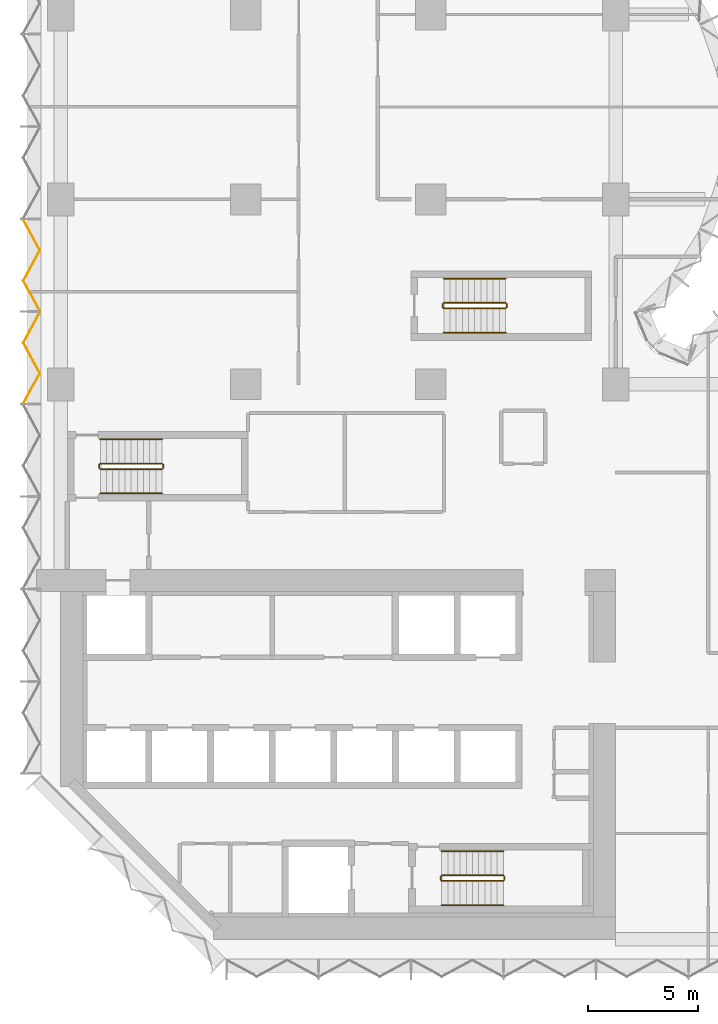
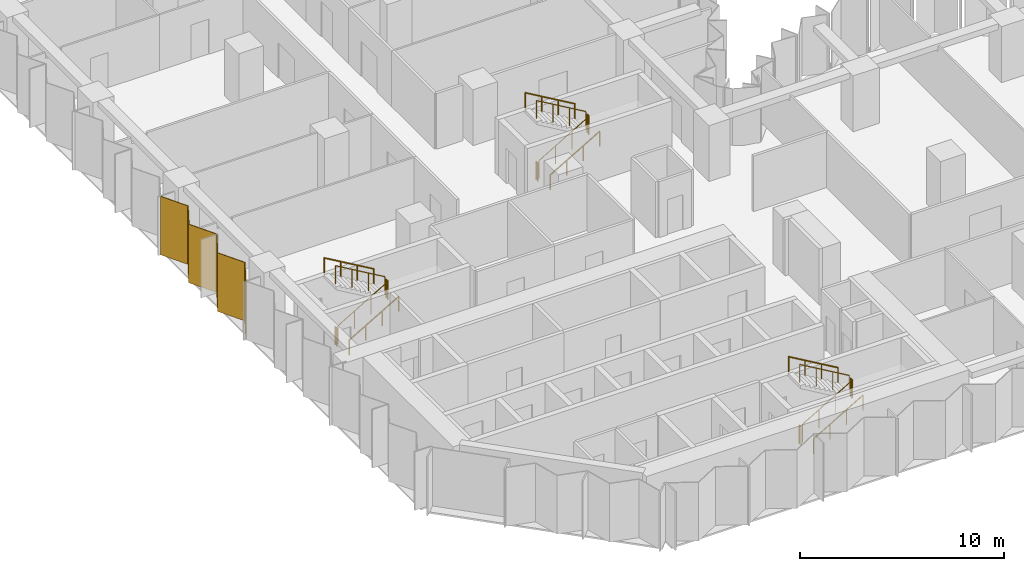
# One storey, part 13 of 15: 18 railings, 2 coverings, 1 element without a shape of its own.
"""IFC4 building model written with IfcOpenShell, lengths in metres."""

from ifc_helpers import new_model, si_unit, direction, frame, origin, origin_2d, place, context, subcontext, project, spatial, polyline, circle, outline, extrude, material, layer, layer_set, type_object, element, aggregate, save


model = new_model("IFC4")

# Units and contexts
model_context = context("Model", 3, precision=1e-05, world=origin(), true_north=direction((0.0, 1.0)))
body_context = subcontext(model_context, "Body", "Model", "MODEL_VIEW")
ifc_project = project(units=[si_unit("LENGTHUNIT", "METRE"), si_unit("AREAUNIT", "SQUARE_METRE"), si_unit("VOLUMEUNIT", "CUBIC_METRE"), si_unit("PLANEANGLEUNIT", "RADIAN"), si_unit("MASSUNIT", "GRAM", prefix="KILO")], contexts=[model_context])

# Site, building, storey
site_placement = place(None, origin())
site = spatial("IfcSite", under=ifc_project, at=site_placement, CompositionType="ELEMENT")
building_placement = place(site_placement, origin())
building = spatial("IfcBuilding", under=site, at=building_placement, Name="Brevane Broadcast Tower", CompositionType="ELEMENT")
storey_placement = place(building_placement, frame((0.0, 0.0, 47.300048828125)))
storey = spatial("IfcBuildingStorey", under=building, at=storey_placement, Name="L09", CompositionType="ELEMENT", Elevation=47.300048828125)

# Railings
ifc_material_1 = material(Name="Steel S355", Category="steel")
railing_type_1 = type_object("IfcRailingType", Name="Exit stair guard", PredefinedType="GUARDRAIL", material=ifc_material_1)
railing_1_placement = place(storey_placement, frame((1.800048828125, 21.35009765625, 0.16357421875)))
element("IfcRailing", 1, at=railing_1_placement, inside=storey, type_object=railing_type_1, Name="L09 ST-1 stair guard 1", PredefinedType="GUARDRAIL", context=body_context, shape_type="SweptSolid", body=[
    extrude(circle(Radius=0.02392578125, at=origin_2d()), frame((0.0, 0.0, 1.076171875), z_axis=(0.863360870873, 0.0, 0.504586966384), x_axis=(0.0, 1.0, 0.0)), (0.0, 0.0, 1.0), 3.2431640625),
    extrude(circle(Radius=0.02099609375, at=origin_2d()), origin(), (0.0, 0.0, 1.0), 1.052001953125),
    extrude(circle(Radius=0.02099609375, at=origin_2d()), frame((0.933349609375, 0.0, 0.54541015625)), (0.0, 0.0, 1.0), 1.052001953125),
    extrude(circle(Radius=0.02099609375, at=origin_2d()), frame((1.86669921875, 0.0, 1.091064453125)), (0.0, 0.0, 1.0), 1.052001953125),
    extrude(circle(Radius=0.02099609375, at=origin_2d()), frame((2.800048828125, 0.0, 1.636474609375)), (0.0, 0.0, 1.0), 1.052001953125),
])
railing_2_placement = place(storey_placement, frame((4.64990234375, 21.39990234375, 1.800048828125)))
element("IfcRailing", 2, at=railing_2_placement, inside=storey, type_object=railing_type_1, Name="L09 ST-1 stair guard 2", PredefinedType="GUARDRAIL", context=body_context, shape_type="SweptSolid", body=[
    extrude(circle(Radius=0.02392578125, at=origin_2d()), frame((0.0, 0.0, 1.076171875), z_axis=(0.0, 1.0, 0.0), x_axis=(-1.0, 0.0, 0.0)), (0.0, 0.0, 1.0), 0.150146484375),
    extrude(circle(Radius=0.02099609375, at=origin_2d()), origin(), (0.0, 0.0, 1.0), 1.052001953125),
    extrude(circle(Radius=0.02099609375, at=origin_2d()), frame((0.0, 0.150146484375, 0.0)), (0.0, 0.0, 1.0), 1.052001953125),
])
railing_3_placement = place(storey_placement, frame((4.60009765625, 21.60009765625, 1.963623046875)))
element("IfcRailing", 3, at=railing_3_placement, inside=storey, type_object=railing_type_1, Name="L09 ST-1 stair guard 3", PredefinedType="GUARDRAIL", context=body_context, shape_type="SweptSolid", body=[
    extrude(circle(Radius=0.02392578125, at=origin_2d()), frame((0.0, 0.0, 1.076171875), z_axis=(-0.863393664356, 0.0, 0.504530851732), x_axis=(0.0, -1.0, 0.0)), (0.0, 0.0, 1.0), 3.2431640625),
    extrude(circle(Radius=0.02099609375, at=origin_2d()), origin(), (0.0, 0.0, 1.0), 1.052001953125),
    extrude(circle(Radius=0.02099609375, at=origin_2d()), frame((-0.933349609375, 0.0, 0.54541015625)), (0.0, 0.0, 1.0), 1.052001953125),
    extrude(circle(Radius=0.02099609375, at=origin_2d()), frame((-1.86669921875, 0.0, 1.0908203125)), (0.0, 0.0, 1.0), 1.052001953125),
    extrude(circle(Radius=0.02099609375, at=origin_2d()), frame((-2.800048828125, 0.0, 1.63623046875)), (0.0, 0.0, 1.0), 1.052001953125),
])
railing_4_placement = place(storey_placement, frame((1.75, 21.39990234375, 0.0)))
element("IfcRailing", 4, at=railing_4_placement, inside=storey, type_object=railing_type_1, Name="L09 ST-1 stair guard 4", PredefinedType="GUARDRAIL", context=body_context, shape_type="SweptSolid", body=[
    extrude(circle(Radius=0.02392578125, at=origin_2d()), frame((0.0, 0.0, 1.076171875), z_axis=(0.0, 1.0, 0.0), x_axis=(-1.0, 0.0, 0.0)), (0.0, 0.0, 1.0), 0.150146484375),
    extrude(circle(Radius=0.02099609375, at=origin_2d()), origin(), (0.0, 0.0, 1.0), 1.052001953125),
    extrude(circle(Radius=0.02099609375, at=origin_2d()), frame((0.0, 0.150146484375, 0.0)), (0.0, 0.0, 1.0), 1.052001953125),
])
railing_5_placement = place(storey_placement, frame((17.300048828125, 2.64990234375, 0.16357421875)))
element("IfcRailing", 5, at=railing_5_placement, inside=storey, type_object=railing_type_1, Name="L09 ST-2 stair guard 1", PredefinedType="GUARDRAIL", context=body_context, shape_type="SweptSolid", body=[
    extrude(circle(Radius=0.02392578125, at=origin_2d()), frame((0.0, 0.0, 1.076171875), z_axis=(0.863360870873, 0.0, 0.504586966384), x_axis=(0.0, 1.0, 0.0)), (0.0, 0.0, 1.0), 3.2431640625),
    extrude(circle(Radius=0.02099609375, at=origin_2d()), origin(), (0.0, 0.0, 1.0), 1.052001953125),
    extrude(circle(Radius=0.02099609375, at=origin_2d()), frame((0.933349609375, 0.0, 0.54541015625)), (0.0, 0.0, 1.0), 1.052001953125),
    extrude(circle(Radius=0.02099609375, at=origin_2d()), frame((1.86669921875, 0.0, 1.091064453125)), (0.0, 0.0, 1.0), 1.052001953125),
    extrude(circle(Radius=0.02099609375, at=origin_2d()), frame((2.800048828125, 0.0, 1.636474609375)), (0.0, 0.0, 1.0), 1.052001953125),
])
railing_6_placement = place(storey_placement, frame((20.14990234375, 2.699951171875, 1.800048828125)))
element("IfcRailing", 6, at=railing_6_placement, inside=storey, type_object=railing_type_1, Name="L09 ST-2 stair guard 2", PredefinedType="GUARDRAIL", context=body_context, shape_type="SweptSolid", body=[
    extrude(circle(Radius=0.02392578125, at=origin_2d()), frame((0.0, 0.0, 1.076171875), z_axis=(0.0, 1.0, 0.0), x_axis=(-1.0, 0.0, 0.0)), (0.0, 0.0, 1.0), 0.150146484375),
    extrude(circle(Radius=0.02099609375, at=origin_2d()), origin(), (0.0, 0.0, 1.0), 1.052001953125),
    extrude(circle(Radius=0.02099609375, at=origin_2d()), frame((0.0, 0.150146484375, 0.0)), (0.0, 0.0, 1.0), 1.052001953125),
])
railing_7_placement = place(storey_placement, frame((20.10009765625, 2.89990234375, 1.963623046875)))
element("IfcRailing", 7, at=railing_7_placement, inside=storey, type_object=railing_type_1, Name="L09 ST-2 stair guard 3", PredefinedType="GUARDRAIL", context=body_context, shape_type="SweptSolid", body=[
    extrude(circle(Radius=0.02392578125, at=origin_2d()), frame((0.0, 0.0, 1.076171875), z_axis=(-0.863393664356, 0.0, 0.504530851732), x_axis=(0.0, -1.0, 0.0)), (0.0, 0.0, 1.0), 3.2431640625),
    extrude(circle(Radius=0.02099609375, at=origin_2d()), origin(), (0.0, 0.0, 1.0), 1.052001953125),
    extrude(circle(Radius=0.02099609375, at=origin_2d()), frame((-0.933349609375, 0.0, 0.54541015625)), (0.0, 0.0, 1.0), 1.052001953125),
    extrude(circle(Radius=0.02099609375, at=origin_2d()), frame((-1.86669921875, 0.0, 1.0908203125)), (0.0, 0.0, 1.0), 1.052001953125),
    extrude(circle(Radius=0.02099609375, at=origin_2d()), frame((-2.800048828125, 0.0, 1.63623046875)), (0.0, 0.0, 1.0), 1.052001953125),
])
railing_8_placement = place(storey_placement, frame((17.25, 2.699951171875, 0.0)))
element("IfcRailing", 8, at=railing_8_placement, inside=storey, type_object=railing_type_1, Name="L09 ST-2 stair guard 4", PredefinedType="GUARDRAIL", context=body_context, shape_type="SweptSolid", body=[
    extrude(circle(Radius=0.02392578125, at=origin_2d()), frame((0.0, 0.0, 1.076171875), z_axis=(0.0, 1.0, 0.0), x_axis=(-1.0, 0.0, 0.0)), (0.0, 0.0, 1.0), 0.150146484375),
    extrude(circle(Radius=0.02099609375, at=origin_2d()), origin(), (0.0, 0.0, 1.0), 1.052001953125),
    extrude(circle(Radius=0.02099609375, at=origin_2d()), frame((0.0, 0.150146484375, 0.0)), (0.0, 0.0, 1.0), 1.052001953125),
])
railing_9_placement = place(storey_placement, frame((17.39990234375, 28.64990234375, 0.16357421875)))
element("IfcRailing", 9, at=railing_9_placement, inside=storey, type_object=railing_type_1, Name="L09 ST-3 stair guard 1", PredefinedType="GUARDRAIL", context=body_context, shape_type="SweptSolid", body=[
    extrude(circle(Radius=0.02392578125, at=origin_2d()), frame((0.0, 0.0, 1.076171875), z_axis=(0.863360870873, 0.0, 0.504586966384), x_axis=(0.0, 1.0, 0.0)), (0.0, 0.0, 1.0), 3.2431640625),
    extrude(circle(Radius=0.02099609375, at=origin_2d()), origin(), (0.0, 0.0, 1.0), 1.052001953125),
    extrude(circle(Radius=0.02099609375, at=origin_2d()), frame((0.933349609375, 0.0, 0.54541015625)), (0.0, 0.0, 1.0), 1.052001953125),
    extrude(circle(Radius=0.02099609375, at=origin_2d()), frame((1.86669921875, 0.0, 1.091064453125)), (0.0, 0.0, 1.0), 1.052001953125),
    extrude(circle(Radius=0.02099609375, at=origin_2d()), frame((2.800048828125, 0.0, 1.636474609375)), (0.0, 0.0, 1.0), 1.052001953125),
])
railing_10_placement = place(storey_placement, frame((20.25, 28.699951171875, 1.800048828125)))
element("IfcRailing", 10, at=railing_10_placement, inside=storey, type_object=railing_type_1, Name="L09 ST-3 stair guard 2", PredefinedType="GUARDRAIL", context=body_context, shape_type="SweptSolid", body=[
    extrude(circle(Radius=0.02392578125, at=origin_2d()), frame((0.0, 0.0, 1.076171875), z_axis=(0.0, 1.0, 0.0), x_axis=(-1.0, 0.0, 0.0)), (0.0, 0.0, 1.0), 0.150146484375),
    extrude(circle(Radius=0.02099609375, at=origin_2d()), origin(), (0.0, 0.0, 1.0), 1.052001953125),
    extrude(circle(Radius=0.02099609375, at=origin_2d()), frame((0.0, 0.150146484375, 0.0)), (0.0, 0.0, 1.0), 1.052001953125),
])
railing_11_placement = place(storey_placement, frame((20.199951171875, 28.89990234375, 1.963623046875)))
element("IfcRailing", 11, at=railing_11_placement, inside=storey, type_object=railing_type_1, Name="L09 ST-3 stair guard 3", PredefinedType="GUARDRAIL", context=body_context, shape_type="SweptSolid", body=[
    extrude(circle(Radius=0.02392578125, at=origin_2d()), frame((0.0, 0.0, 1.076171875), z_axis=(-0.863393664356, 0.0, 0.504530851732), x_axis=(0.0, -1.0, 0.0)), (0.0, 0.0, 1.0), 3.2431640625),
    extrude(circle(Radius=0.02099609375, at=origin_2d()), origin(), (0.0, 0.0, 1.0), 1.052001953125),
    extrude(circle(Radius=0.02099609375, at=origin_2d()), frame((-0.933349609375, 0.0, 0.54541015625)), (0.0, 0.0, 1.0), 1.052001953125),
    extrude(circle(Radius=0.02099609375, at=origin_2d()), frame((-1.86669921875, 0.0, 1.0908203125)), (0.0, 0.0, 1.0), 1.052001953125),
    extrude(circle(Radius=0.02099609375, at=origin_2d()), frame((-2.800048828125, 0.0, 1.63623046875)), (0.0, 0.0, 1.0), 1.052001953125),
])
railing_12_placement = place(storey_placement, frame((17.35009765625, 28.699951171875, 0.0)))
element("IfcRailing", 12, at=railing_12_placement, inside=storey, type_object=railing_type_1, Name="L09 ST-3 stair guard 4", PredefinedType="GUARDRAIL", context=body_context, shape_type="SweptSolid", body=[
    extrude(circle(Radius=0.02392578125, at=origin_2d()), frame((0.0, 0.0, 1.076171875), z_axis=(0.0, 1.0, 0.0), x_axis=(-1.0, 0.0, 0.0)), (0.0, 0.0, 1.0), 0.150146484375),
    extrude(circle(Radius=0.02099609375, at=origin_2d()), origin(), (0.0, 0.0, 1.0), 1.052001953125),
    extrude(circle(Radius=0.02099609375, at=origin_2d()), frame((0.0, 0.150146484375, 0.0)), (0.0, 0.0, 1.0), 1.052001953125),
])
railing_type_2 = type_object("IfcRailingType", Name="Exit stair handrail", PredefinedType="HANDRAIL", material=ifc_material_1)
railing_13_placement = place(storey_placement, frame((1.800048828125, 20.25, 0.16357421875)))
element("IfcRailing", 13, at=railing_13_placement, inside=storey, type_object=railing_type_2, Name="L09 ST-1 stair handrail 1", PredefinedType="HANDRAIL", context=body_context, shape_type="SweptSolid", body=[
    extrude(circle(Radius=0.02392578125, at=origin_2d()), frame((0.0, 0.0, 0.8759765625), z_axis=(0.863360870873, 0.0, 0.504586966384), x_axis=(0.0, 1.0, 0.0)), (0.0, 0.0, 1.0), 3.2431640625),
    extrude(circle(Radius=0.02099609375, at=origin_2d()), origin(), (0.0, 0.0, 1.0), 0.851806640625),
    extrude(circle(Radius=0.02099609375, at=origin_2d()), frame((0.933349609375, 0.0, 0.54541015625)), (0.0, 0.0, 1.0), 0.851806640625),
    extrude(circle(Radius=0.02099609375, at=origin_2d()), frame((1.86669921875, 0.0, 1.091064453125)), (0.0, 0.0, 1.0), 0.851806640625),
    extrude(circle(Radius=0.02099609375, at=origin_2d()), frame((2.800048828125, 0.0, 1.636474609375)), (0.0, 0.0, 1.0), 0.851806640625),
])
railing_14_placement = place(storey_placement, frame((4.60009765625, 22.699951171875, 1.963623046875)))
element("IfcRailing", 14, at=railing_14_placement, inside=storey, type_object=railing_type_2, Name="L09 ST-1 stair handrail 2", PredefinedType="HANDRAIL", context=body_context, shape_type="SweptSolid", body=[
    extrude(circle(Radius=0.02392578125, at=origin_2d()), frame((0.0, 0.0, 0.8759765625), z_axis=(-0.863393664356, 0.0, 0.504530851732), x_axis=(0.0, -1.0, 0.0)), (0.0, 0.0, 1.0), 3.2431640625),
    extrude(circle(Radius=0.02099609375, at=origin_2d()), origin(), (0.0, 0.0, 1.0), 0.851806640625),
    extrude(circle(Radius=0.02099609375, at=origin_2d()), frame((-0.933349609375, 0.0, 0.54541015625)), (0.0, 0.0, 1.0), 0.851806640625),
    extrude(circle(Radius=0.02099609375, at=origin_2d()), frame((-1.86669921875, 0.0, 1.0908203125)), (0.0, 0.0, 1.0), 0.851806640625),
    extrude(circle(Radius=0.02099609375, at=origin_2d()), frame((-2.800048828125, 0.0, 1.63623046875)), (0.0, 0.0, 1.0), 0.851806640625),
])
railing_15_placement = place(storey_placement, frame((17.300048828125, 1.550048828125, 0.16357421875)))
element("IfcRailing", 15, at=railing_15_placement, inside=storey, type_object=railing_type_2, Name="L09 ST-2 stair handrail 1", PredefinedType="HANDRAIL", context=body_context, shape_type="SweptSolid", body=[
    extrude(circle(Radius=0.02392578125, at=origin_2d()), frame((0.0, 0.0, 0.8759765625), z_axis=(0.863360870873, 0.0, 0.504586966384), x_axis=(0.0, 1.0, 0.0)), (0.0, 0.0, 1.0), 3.2431640625),
    extrude(circle(Radius=0.02099609375, at=origin_2d()), origin(), (0.0, 0.0, 1.0), 0.851806640625),
    extrude(circle(Radius=0.02099609375, at=origin_2d()), frame((0.933349609375, 0.0, 0.54541015625)), (0.0, 0.0, 1.0), 0.851806640625),
    extrude(circle(Radius=0.02099609375, at=origin_2d()), frame((1.86669921875, 0.0, 1.091064453125)), (0.0, 0.0, 1.0), 0.851806640625),
    extrude(circle(Radius=0.02099609375, at=origin_2d()), frame((2.800048828125, 0.0, 1.636474609375)), (0.0, 0.0, 1.0), 0.851806640625),
])
railing_16_placement = place(storey_placement, frame((20.10009765625, 4.0, 1.963623046875)))
element("IfcRailing", 16, at=railing_16_placement, inside=storey, type_object=railing_type_2, Name="L09 ST-2 stair handrail 2", PredefinedType="HANDRAIL", context=body_context, shape_type="SweptSolid", body=[
    extrude(circle(Radius=0.02392578125, at=origin_2d()), frame((0.0, 0.0, 0.8759765625), z_axis=(-0.863393664356, 0.0, 0.504530851732), x_axis=(0.0, -1.0, 0.0)), (0.0, 0.0, 1.0), 3.2431640625),
    extrude(circle(Radius=0.02099609375, at=origin_2d()), origin(), (0.0, 0.0, 1.0), 0.851806640625),
    extrude(circle(Radius=0.02099609375, at=origin_2d()), frame((-0.933349609375, 0.0, 0.54541015625)), (0.0, 0.0, 1.0), 0.851806640625),
    extrude(circle(Radius=0.02099609375, at=origin_2d()), frame((-1.86669921875, 0.0, 1.0908203125)), (0.0, 0.0, 1.0), 0.851806640625),
    extrude(circle(Radius=0.02099609375, at=origin_2d()), frame((-2.800048828125, 0.0, 1.63623046875)), (0.0, 0.0, 1.0), 0.851806640625),
])
railing_17_placement = place(storey_placement, frame((17.39990234375, 27.550048828125, 0.16357421875)))
element("IfcRailing", 17, at=railing_17_placement, inside=storey, type_object=railing_type_2, Name="L09 ST-3 stair handrail 1", PredefinedType="HANDRAIL", context=body_context, shape_type="SweptSolid", body=[
    extrude(circle(Radius=0.02392578125, at=origin_2d()), frame((0.0, 0.0, 0.8759765625), z_axis=(0.863360870873, 0.0, 0.504586966384), x_axis=(0.0, 1.0, 0.0)), (0.0, 0.0, 1.0), 3.2431640625),
    extrude(circle(Radius=0.02099609375, at=origin_2d()), origin(), (0.0, 0.0, 1.0), 0.851806640625),
    extrude(circle(Radius=0.02099609375, at=origin_2d()), frame((0.933349609375, 0.0, 0.54541015625)), (0.0, 0.0, 1.0), 0.851806640625),
    extrude(circle(Radius=0.02099609375, at=origin_2d()), frame((1.86669921875, 0.0, 1.091064453125)), (0.0, 0.0, 1.0), 0.851806640625),
    extrude(circle(Radius=0.02099609375, at=origin_2d()), frame((2.800048828125, 0.0, 1.636474609375)), (0.0, 0.0, 1.0), 0.851806640625),
])
railing_18_placement = place(storey_placement, frame((20.199951171875, 30.0, 1.963623046875)))
element("IfcRailing", 18, at=railing_18_placement, inside=storey, type_object=railing_type_2, Name="L09 ST-3 stair handrail 2", PredefinedType="HANDRAIL", context=body_context, shape_type="SweptSolid", body=[
    extrude(circle(Radius=0.02392578125, at=origin_2d()), frame((0.0, 0.0, 0.8759765625), z_axis=(-0.863393664356, 0.0, 0.504530851732), x_axis=(0.0, -1.0, 0.0)), (0.0, 0.0, 1.0), 3.2431640625),
    extrude(circle(Radius=0.02099609375, at=origin_2d()), origin(), (0.0, 0.0, 1.0), 0.851806640625),
    extrude(circle(Radius=0.02099609375, at=origin_2d()), frame((-0.933349609375, 0.0, 0.54541015625)), (0.0, 0.0, 1.0), 0.851806640625),
    extrude(circle(Radius=0.02099609375, at=origin_2d()), frame((-1.86669921875, 0.0, 1.0908203125)), (0.0, 0.0, 1.0), 0.851806640625),
    extrude(circle(Radius=0.02099609375, at=origin_2d()), frame((-2.800048828125, 0.0, 1.63623046875)), (0.0, 0.0, 1.0), 0.851806640625),
])

# Curtain wall, coverings
ifc_material_2 = material(Name="Aluminium 6063-T6 bronze anodised", Category="aluminium")
curtain_wall_type = type_object("IfcCurtainWallType", Name="CW-1 curtain wall", PredefinedType="NOTDEFINED", material=ifc_material_2)
curtain_wall_placement = place(storey_placement, origin())
curtain_wall = element("IfcCurtainWall", 19, at=curtain_wall_placement, inside=storey, type_object=curtain_wall_type, Name="CW-1 typical tilted unit L09 west face", PredefinedType="NOTDEFINED")
ifc_material_3 = material(Name="Back-painted bronze glass shadow-box", Category="glass")
ifc_layer = layer(ifc_material_3, 0.0400390625)
ifc_layer_set = layer_set([ifc_layer], Name="Shadow-box panel 40")
covering_type = type_object("IfcCoveringType", Name="Shadow-box panel 40", PredefinedType="CLADDING", material=ifc_layer_set)
covering_1_placement = place(storey_placement, frame((0.0, 0.0, -0.150146484375)))
covering_1 = element("IfcCovering", 20, at=covering_1_placement, type_object=covering_type, Name="Shadow-box panel", PredefinedType="CLADDING", context=body_context, shape_type="SweptSolid", body=[
    extrude(outline(polyline([(-1.671630859375, 32.6650390625), (-1.717041015625, 32.6650390625), (-0.97265625, 31.288330078125), (-1.717041015625, 29.91162109375), (-0.97265625, 28.534912109375), (-0.92724609375, 28.534912109375), (-1.671630859375, 29.91162109375), (-0.92724609375, 31.288330078125), (-1.671630859375, 32.6650390625)])), origin(), (0.0, 0.0, 1.0), 3.5),
])
covering_2_placement = place(storey_placement, frame((0.0, 0.0, -0.150146484375)))
covering_2 = element("IfcCovering", 21, at=covering_2_placement, type_object=covering_type, Name="Shadow-box panel", PredefinedType="CLADDING", context=body_context, shape_type="SweptSolid", body=[
    extrude(outline(polyline([(-0.92724609375, 28.465087890625), (-0.97265625, 28.465087890625), (-1.717041015625, 27.08837890625), (-0.97265625, 25.711669921875), (-1.717041015625, 24.3349609375), (-1.671630859375, 24.3349609375), (-0.92724609375, 25.711669921875), (-1.671630859375, 27.08837890625), (-0.92724609375, 28.465087890625)])), origin(), (0.0, 0.0, 1.0), 3.5),
])
aggregate(curtain_wall, [covering_1, covering_2])

save(model, "model.ifc")
